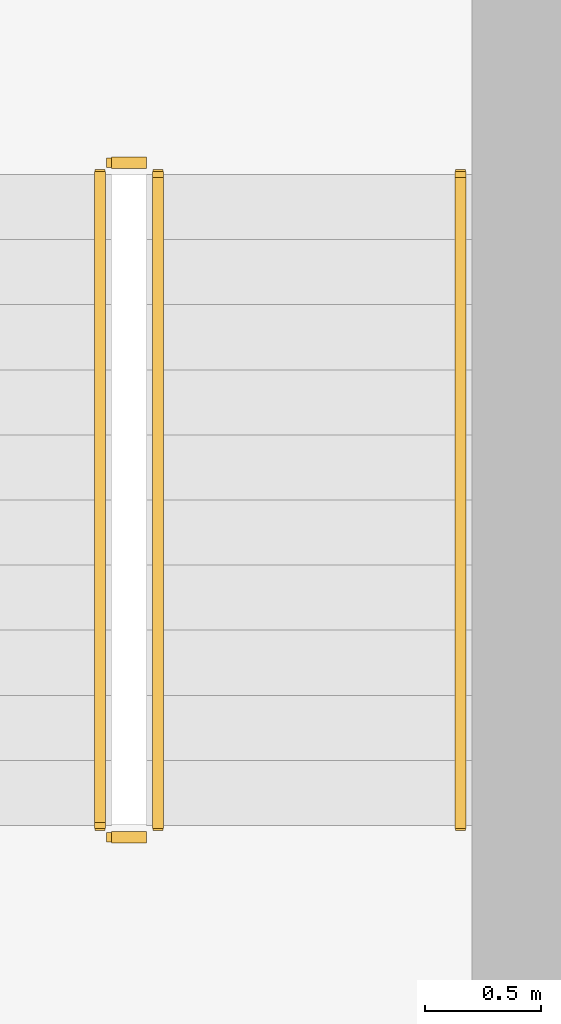
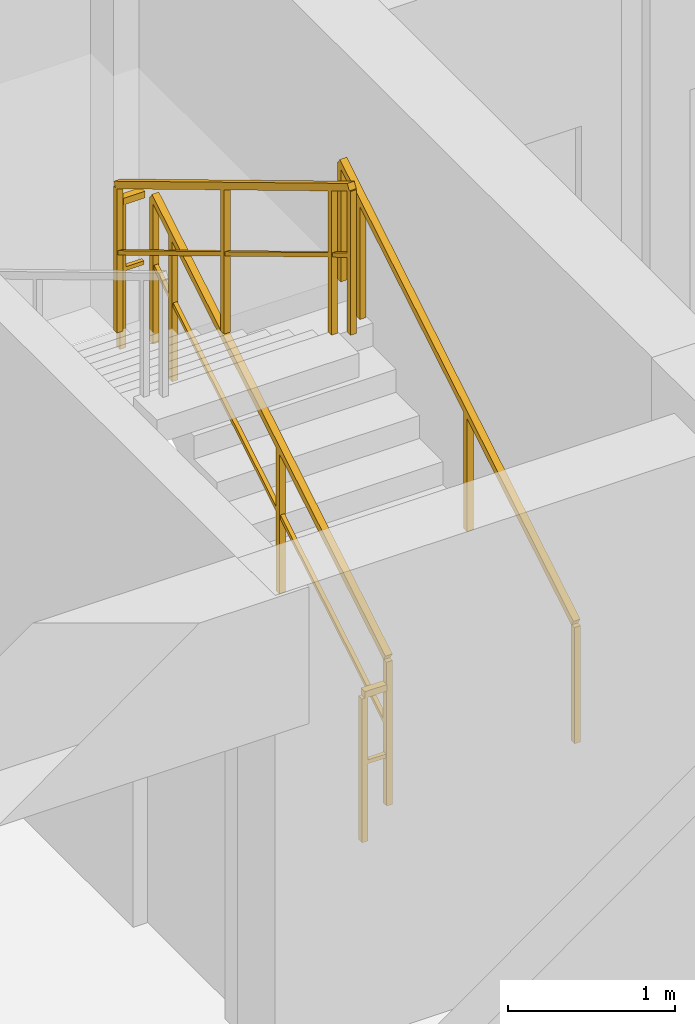
# One storey, part 18 of 19: 5 railings.
"""IFC4 building model written with IfcOpenShell, lengths in metres."""

from ifc_helpers import new_model, si_unit, direction, frame, origin, origin_2d, place, context, subcontext, project, spatial, rectangle, extrude, material, type_object, element, save


model = new_model("IFC4")

# Units and contexts
model_context = context("Model", 3, precision=1e-05, world=origin(), true_north=direction((0.0, 1.0)))
body_context = subcontext(model_context, "Body", "Model", "MODEL_VIEW")
ifc_project = project(units=[si_unit("LENGTHUNIT", "METRE"), si_unit("AREAUNIT", "SQUARE_METRE"), si_unit("VOLUMEUNIT", "CUBIC_METRE"), si_unit("PLANEANGLEUNIT", "RADIAN"), si_unit("MASSUNIT", "GRAM", prefix="KILO")], contexts=[model_context])

# Site, building, storey
site_placement = place(None, origin())
site = spatial("IfcSite", under=ifc_project, at=site_placement, CompositionType="ELEMENT")
building_placement = place(site_placement, origin())
building = spatial("IfcBuilding", under=site, at=building_placement, Name="Kaliganga Portal Commons", CompositionType="ELEMENT")
storey_placement = place(building_placement, frame((0.0, 0.0, 140.199951171875)))
storey = spatial("IfcBuildingStorey", under=building, at=storey_placement, Name="L35", CompositionType="ELEMENT", Elevation=140.199951171875)

# Railings
ifc_material_1 = material(Name="Galvanized Painted Steel Balustrade", Category="steel")
railing_type_1 = type_object("IfcRailingType", Name="RLG-STAIR-GRD", PredefinedType="GUARDRAIL", material=ifc_material_1)
railing_1_placement = place(storey_placement, frame((48.699951171875, 8.699951171875, 0.168212890625)))
element("IfcRailing", 1, at=railing_1_placement, inside=storey, type_object=railing_type_1, Name="L35 ST-B2 stair guard 1", PredefinedType="GUARDRAIL", context=body_context, shape_type="SweptSolid", body=[
    extrude(rectangle(XDim=0.048095703125, YDim=0.048095703125, at=origin_2d()), frame((0.0, 0.0, 1.072021484375), z_axis=(0.0, 0.857242210791, 0.514913383045), x_axis=(-1.0, 0.0, 0.0)), (0.0, 0.0, 1.0), 3.266357421875),
    extrude(rectangle(XDim=0.028076171875, YDim=0.028076171875, at=origin_2d()), frame((0.0, 0.0, 0.572021484375), z_axis=(0.0, 0.857242210791, 0.514913383045), x_axis=(-1.0, 0.0, 0.0)), (0.0, 0.0, 1.0), 3.266357421875),
    extrude(rectangle(XDim=0.0419921875, YDim=0.0419921875, at=origin_2d()), origin(), (0.0, 0.0, 1.0), 1.052001953125),
    extrude(rectangle(XDim=0.0419921875, YDim=0.0419921875, at=origin_2d()), frame((0.0, 1.285888671875, 0.7724609375)), (0.0, 0.0, 1.0), 1.052001953125),
    extrude(rectangle(XDim=0.0419921875, YDim=0.0419921875, at=origin_2d()), frame((0.0, 2.57177734375, 1.544677734375)), (0.0, 0.0, 1.0), 1.052001953125),
    extrude(rectangle(XDim=0.0419921875, YDim=0.0419921875, at=origin_2d()), frame((0.0, 2.800048828125, 1.681884765625)), (0.0, 0.0, 1.0), 1.052001953125),
])
railing_2_placement = place(storey_placement, frame((48.64990234375, 11.550048828125, 1.85009765625)))
element("IfcRailing", 2, at=railing_2_placement, inside=storey, type_object=railing_type_1, Name="L35 ST-B2 stair guard 2", PredefinedType="GUARDRAIL", context=body_context, shape_type="SweptSolid", body=[
    extrude(rectangle(XDim=0.048095703125, YDim=0.048095703125, at=origin_2d()), frame((0.0, 0.0, 1.076171875), z_axis=(-1.0, 0.0, 0.0), x_axis=(0.0, -1.0, 0.0)), (0.0, 0.0, 1.0), 0.14990234375),
    extrude(rectangle(XDim=0.028076171875, YDim=0.028076171875, at=origin_2d()), frame((0.0, 0.0, 0.572021484375), z_axis=(-1.0, 0.0, 0.0), x_axis=(0.0, -1.0, 0.0)), (0.0, 0.0, 1.0), 0.14990234375),
    extrude(rectangle(XDim=0.0419921875, YDim=0.0419921875, at=origin_2d()), frame((-0.14990234375, 0.0, 0.0)), (0.0, 0.0, 1.0), 1.052001953125),
])
railing_3_placement = place(storey_placement, frame((48.449951171875, 11.5, 2.018310546875)))
element("IfcRailing", 3, at=railing_3_placement, inside=storey, type_object=railing_type_1, Name="L35 ST-B2 stair guard 3", PredefinedType="GUARDRAIL", context=body_context, shape_type="SweptSolid", body=[
    extrude(rectangle(XDim=0.048095703125, YDim=0.048095703125, at=origin_2d()), frame((0.0, 0.0, 1.072021484375), z_axis=(0.0, -0.857275202839, 0.514858452973), x_axis=(1.0, 0.0, 0.0)), (0.0, 0.0, 1.0), 3.26611328125),
    extrude(rectangle(XDim=0.028076171875, YDim=0.028076171875, at=origin_2d()), frame((0.0, 0.0, 0.572021484375), z_axis=(0.0, -0.857275202839, 0.514858452973), x_axis=(1.0, 0.0, 0.0)), (0.0, 0.0, 1.0), 3.26611328125),
    extrude(rectangle(XDim=0.0419921875, YDim=0.0419921875, at=origin_2d()), origin(), (0.0, 0.0, 1.0), 1.052001953125),
    extrude(rectangle(XDim=0.0419921875, YDim=0.0419921875, at=origin_2d()), frame((0.0, -1.285888671875, 0.772216796875)), (0.0, 0.0, 1.0), 1.052001953125),
    extrude(rectangle(XDim=0.0419921875, YDim=0.0419921875, at=origin_2d()), frame((0.0, -2.57177734375, 1.544677734375)), (0.0, 0.0, 1.0), 1.052001953125),
    extrude(rectangle(XDim=0.0419921875, YDim=0.0419921875, at=origin_2d()), frame((0.0, -2.800048828125, 1.681640625)), (0.0, 0.0, 1.0), 1.052001953125),
])
railing_4_placement = place(storey_placement, frame((48.64990234375, 8.64990234375, 0.0)))
element("IfcRailing", 4, at=railing_4_placement, inside=storey, type_object=railing_type_1, Name="L35 ST-B2 stair guard 4", PredefinedType="GUARDRAIL", context=body_context, shape_type="SweptSolid", body=[
    extrude(rectangle(XDim=0.048095703125, YDim=0.048095703125, at=origin_2d()), frame((0.0, 0.0, 1.076171875), z_axis=(-1.0, 0.0, 0.0), x_axis=(0.0, -1.0, 0.0)), (0.0, 0.0, 1.0), 0.14990234375),
    extrude(rectangle(XDim=0.028076171875, YDim=0.028076171875, at=origin_2d()), frame((0.0, 0.0, 0.572021484375), z_axis=(-1.0, 0.0, 0.0), x_axis=(0.0, -1.0, 0.0)), (0.0, 0.0, 1.0), 0.14990234375),
    extrude(rectangle(XDim=0.0419921875, YDim=0.0419921875, at=origin_2d()), frame((-0.14990234375, 0.0, 0.0)), (0.0, 0.0, 1.0), 1.052001953125),
])
ifc_material_2 = material(Name="Brushed Stainless Steel 316", Category="steel")
railing_type_2 = type_object("IfcRailingType", Name="RLG-STAIR-HR", PredefinedType="HANDRAIL", material=ifc_material_2)
railing_5_placement = place(storey_placement, frame((50.0, 8.699951171875, 0.168212890625)))
element("IfcRailing", 5, at=railing_5_placement, inside=storey, type_object=railing_type_2, Name="L35 ST-B2 stair handrail 1", PredefinedType="HANDRAIL", context=body_context, shape_type="SweptSolid", body=[
    extrude(rectangle(XDim=0.048095703125, YDim=0.048095703125, at=origin_2d()), frame((0.0, 0.0, 0.871826171875), z_axis=(0.0, 0.857242210791, 0.514913383045), x_axis=(-1.0, 0.0, 0.0)), (0.0, 0.0, 1.0), 3.266357421875),
    extrude(rectangle(XDim=0.0419921875, YDim=0.0419921875, at=origin_2d()), origin(), (0.0, 0.0, 1.0), 0.851806640625),
    extrude(rectangle(XDim=0.0419921875, YDim=0.0419921875, at=origin_2d()), frame((0.0, 1.285888671875, 0.7724609375)), (0.0, 0.0, 1.0), 0.851806640625),
    extrude(rectangle(XDim=0.0419921875, YDim=0.0419921875, at=origin_2d()), frame((0.0, 2.57177734375, 1.544677734375)), (0.0, 0.0, 1.0), 0.851806640625),
    extrude(rectangle(XDim=0.0419921875, YDim=0.0419921875, at=origin_2d()), frame((0.0, 2.800048828125, 1.681884765625)), (0.0, 0.0, 1.0), 0.851806640625),
])

save(model, "model.ifc")
